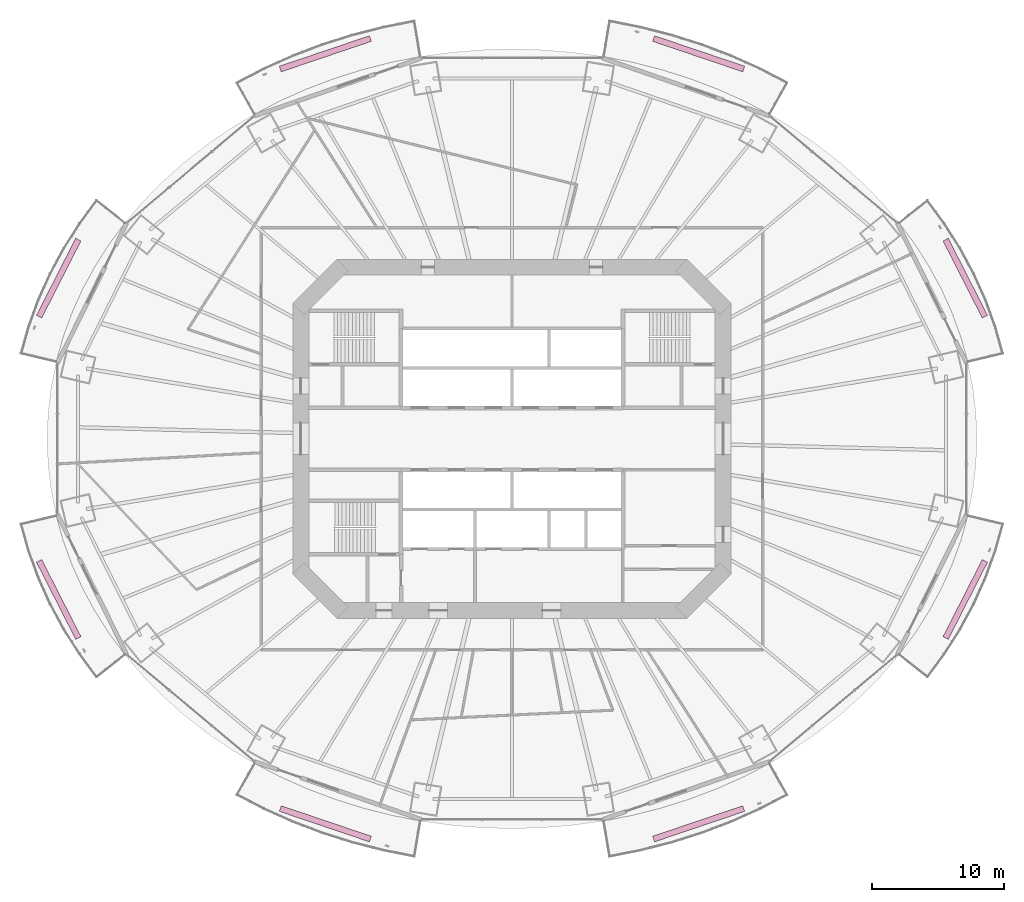
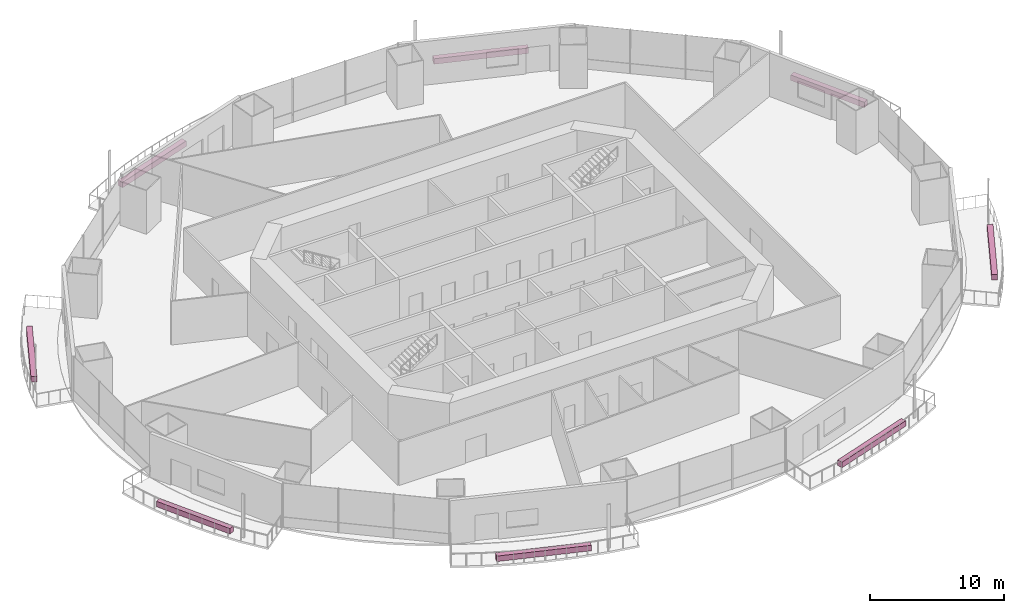
# One storey, part 22 of 22: 8 furnishings.
"""IFC4 building model written with IfcOpenShell, lengths in metres."""

import ifcopenshell
import ifcopenshell.guid

model = None  # the IFC model being written
_history = None  # IfcOwnerHistory: only IFC2X3 demands one
_inside = {}  # id of a spatial element -> (the spatial element, [elements in it])
_under = {}  # id of a project, library or spatial element -> (it, [spatial elements below it])
_declared = {}  # id of a project -> (the project, [libraries it declares])
_typed = {}  # id of a type object -> (the type object, [elements of that type])
_made_of = {}  # id of a material, layer set ... -> (it, [elements and type objects made of it])


def new_model(schema):
    """Start an empty IFC model of exactly this schema.

    Asked for "IFC4X3", IfcOpenShell would pick the latest addendum, in which some entities
    have other attributes; the version numbers below select the first issue.
    IFC2X3 requires an IfcOwnerHistory on every rooted entity: one is made here for all.
    """
    global model, _history
    if schema == "IFC4X3":
        model = ifcopenshell.file(schema_version=(4, 3, 0, 0))
    else:
        model = ifcopenshell.file(schema=schema)
    _inside.clear()
    _under.clear()
    _declared.clear()
    _typed.clear()
    _made_of.clear()
    _history = None
    if model.schema == "IFC2X3":
        org = make("IfcOrganization", Name="unknown")
        user = make(
            "IfcPersonAndOrganization",
            ThePerson=make("IfcPerson", FamilyName="unknown"),
            TheOrganization=org,
        )
        app = make(
            "IfcApplication",
            ApplicationDeveloper=org,
            Version="unknown",
            ApplicationFullName="unknown",
            ApplicationIdentifier="unknown",
        )
        _history = make(
            "IfcOwnerHistory",
            OwningUser=user,
            OwningApplication=app,
            ChangeAction="ADDED",
            CreationDate=0,
        )
    return model


def make(cls, **values):
    """One entity of the class cls with the attributes given. An attribute that is None is left unset."""
    return model.create_entity(
        cls, **{name: value for name, value in values.items() if value is not None}
    )


def rooted(cls, **values):
    """An entity with a GlobalId (a new one), such as an element, a storey or a relation."""
    return make(cls, GlobalId=ifcopenshell.guid.new(), OwnerHistory=_history, **values)


def si_unit(unit_type, name, prefix=None):
    """IfcSIUnit, for example si_unit("LENGTHUNIT", "METRE", prefix="MILLI")."""
    return make("IfcSIUnit", UnitType=unit_type, Prefix=prefix, Name=name)


def assignment(units):
    """IfcUnitAssignment: the units of a project."""
    return None if units is None else make("IfcUnitAssignment", Units=units)


def point(xyz):
    """IfcCartesianPoint."""
    return None if xyz is None else make("IfcCartesianPoint", Coordinates=xyz)


def direction(xyz):
    """IfcDirection."""
    return None if xyz is None else make("IfcDirection", DirectionRatios=xyz)


def frame(location, z_axis=None, x_axis=None):
    """IfcAxis2Placement3D, a coordinate frame: its origin and axes. An axis left out is left unset."""
    return make(
        "IfcAxis2Placement3D",
        Location=point(location),
        Axis=direction(z_axis),
        RefDirection=direction(x_axis),
    )


def frame_2d(location, x_axis=None):
    """IfcAxis2Placement2D, a coordinate frame in the plane: its origin and x axis."""
    return make(
        "IfcAxis2Placement2D", Location=point(location), RefDirection=direction(x_axis)
    )


def origin():
    """The frame at (0, 0, 0) with its axes left unset."""
    return frame((0.0, 0.0, 0.0))


def origin_2d():
    """The frame at (0, 0) in the plane with its x axis left unset."""
    return frame_2d((0.0, 0.0))


def place(relative_to, where):
    """IfcLocalPlacement: puts the frame where relative to a parent placement (None: the world)."""
    return make(
        "IfcLocalPlacement", PlacementRelTo=relative_to, RelativePlacement=where
    )


def context(
    kind, dimensions, precision=None, world=None, true_north=None, identifier=None
):
    """IfcGeometricRepresentationContext, for example the 3D "Model" context."""
    return make(
        "IfcGeometricRepresentationContext",
        ContextIdentifier=identifier,
        ContextType=kind,
        CoordinateSpaceDimension=dimensions,
        Precision=precision,
        WorldCoordinateSystem=world,
        TrueNorth=true_north,
    )


def subcontext(parent, identifier, kind, view, scale=None):
    """IfcGeometricRepresentationSubContext, for example "Body" below "Model"."""
    return make(
        "IfcGeometricRepresentationSubContext",
        ContextIdentifier=identifier,
        ContextType=kind,
        ParentContext=parent,
        TargetScale=scale,
        TargetView=view,
    )


def project(units=None, contexts=None):
    """IfcProject with its units and contexts."""
    return rooted(
        "IfcProject",
        Name="project",
        RepresentationContexts=contexts,
        UnitsInContext=assignment(units),
    )


def spatial(cls, under=None, at=None, **own):
    """A site, building, storey or space (cls), placed at a placement, below another one or the project."""
    s = rooted(cls, ObjectPlacement=at, **own)
    if under is not None:
        _under.setdefault(under.id(), (under, []))[1].append(s)
    return s


def profile(cls, at=None, kind="AREA", **sizes):
    """A parametric profile (cls). Its sizes go by their IFC names, for example OverallWidth=200.0."""
    return make(cls, ProfileType=kind, Position=at, **sizes)


def rectangle(**sizes):
    """IfcRectangleProfileDef."""
    return profile("IfcRectangleProfileDef", **sizes)


def extrude(swept, where, along, depth):
    """IfcExtrudedAreaSolid: the profile swept, set in the frame where, extruded along a direction by depth."""
    return make(
        "IfcExtrudedAreaSolid",
        SweptArea=swept,
        Position=where,
        ExtrudedDirection=direction(along),
        Depth=depth,
    )


def shape(context_of_items, identifier, shape_type, items):
    """IfcShapeRepresentation: the items that make up one representation, for example the "Body"."""
    return make(
        "IfcShapeRepresentation",
        ContextOfItems=context_of_items,
        RepresentationIdentifier=identifier,
        RepresentationType=shape_type,
        Items=items,
    )


def material(Name=None, Category=None):
    """IfcMaterial."""
    return make("IfcMaterial", Name=Name, Category=Category)


def made_of(thing, what):
    """Note that an element or type object is made of a material, layer set ...; save() writes the relation."""
    if what is not None:
        _made_of.setdefault(what.id(), (what, []))[1].append(thing)
    return thing


def type_object(cls, material=None, **own):
    """A type object (cls), such as IfcWallType, which elements share."""
    return made_of(rooted(cls, **own), material)


def element(
    cls,
    number,
    at=None,
    inside=None,
    cuts=None,
    type_object=None,
    material=None,
    context=None,
    identifier="Body",
    shape_type=None,
    held_by="IfcProductDefinitionShape",
    body=None,
    shapes=None,
    **own,
):
    """One element of the class cls, such as IfcWall. Its Tag is "e" and its number.

    at: its placement. inside: the storey or other place that contains it. cuts: it is an
    opening in that element (IfcRelVoidsElement). A single representation is given by context,
    identifier, shape_type and body (its items); several are given by shapes. held_by: the class
    of the entity that holds the representations. save() writes the other relations.
    """
    e = rooted(cls, Tag="e%d" % number, ObjectPlacement=at, **own)
    if body is not None:
        shapes = [shape(context, identifier, shape_type, body)]
    if shapes is not None:
        e.Representation = make(held_by, Representations=shapes)
    if inside is not None:
        _inside.setdefault(inside.id(), (inside, []))[1].append(e)
    if cuts is not None:
        rooted(
            "IfcRelVoidsElement", RelatingBuildingElement=cuts, RelatedOpeningElement=e
        )
    if type_object is not None:
        _typed.setdefault(type_object.id(), (type_object, []))[1].append(e)
    return made_of(e, material)


def aggregate(whole, parts):
    """IfcRelAggregates: a whole, such as a stair, and the parts it consists of."""
    return rooted("IfcRelAggregates", RelatingObject=whole, RelatedObjects=parts)


def save(model, path):
    """Write the relations noted so far, then the file.

    IfcRelAggregates (storeys below a building ...), IfcRelContainedInSpatialStructure (elements
    in a storey), IfcRelDefinesByType, IfcRelAssociatesMaterial and IfcRelDeclares: one each for
    every whole, place, type object, material and project.
    """
    for whole, parts in _under.values():
        aggregate(whole, parts)
    for where, things in _inside.values():
        rooted(
            "IfcRelContainedInSpatialStructure",
            RelatedElements=things,
            RelatingStructure=where,
        )
    for kind, things in _typed.values():
        rooted("IfcRelDefinesByType", RelatedObjects=things, RelatingType=kind)
    for what, things in _made_of.values():
        rooted("IfcRelAssociatesMaterial", RelatedObjects=things, RelatingMaterial=what)
    for by, libraries in _declared.values():
        rooted("IfcRelDeclares", RelatingContext=by, RelatedDefinitions=libraries)
    model.write(path)


model = new_model("IFC4")

# Units and contexts
model_context = context("Model", 3, precision=1e-05, world=origin(), true_north=direction((0.0, 1.0)))
body_context = subcontext(model_context, "Body", "Model", "MODEL_VIEW")
ifc_project = project(units=[si_unit("LENGTHUNIT", "METRE"), si_unit("AREAUNIT", "SQUARE_METRE"), si_unit("VOLUMEUNIT", "CUBIC_METRE"), si_unit("PLANEANGLEUNIT", "RADIAN"), si_unit("MASSUNIT", "GRAM", prefix="KILO")], contexts=[model_context])

# Site, building, storey
site_placement = place(None, origin())
site = spatial("IfcSite", under=ifc_project, at=site_placement, CompositionType="ELEMENT")
building_placement = place(site_placement, origin())
building = spatial("IfcBuilding", under=site, at=building_placement, Name="Marenthal Gate Tower", CompositionType="ELEMENT")
storey_placement = place(building_placement, frame((0.0, 0.0, 91.10009765625)))
storey = spatial("IfcBuildingStorey", under=building, at=storey_placement, Name="L18", CompositionType="ELEMENT", Elevation=91.10009765625)

# Furnishings
ifc_material = material(Name="Planting soil and foliage", Category="planting")
furnishing_element_type = type_object("IfcFurnishingElementType", Name="Balcony PLANTER trough", material=ifc_material)
furnishing_1_placement = place(storey_placement, frame((34.342041015625, 12.1787109375, -0.0400390625), z_axis=(0.0, 0.0, 1.0), x_axis=(-0.453616424886, 0.891197025956, 0.0)))
element("IfcFurnishingElement", 1, at=furnishing_1_placement, inside=storey, type_object=furnishing_element_type, Name="Balcony PLANTER L18 bay 1", ObjectType="PLANTER", context=body_context, shape_type="SweptSolid", body=[
    extrude(rectangle(XDim=6.549072265625, YDim=0.449951171875, at=origin_2d()), origin(), (0.0, 0.0, 1.0), 0.5),
])
for number, where, z_axis, x_axis, name in (
    (2, (14.14306640625, 29.172119140625, -0.0400390625), (0.0, 0.0, 1.0), (-0.947301642878, 0.32034293718, 0.0), "Balcony PLANTER L18 bay 3"),
    (3, (-14.14306640625, 29.172119140625, -0.0400390625), (0.0, 0.0, 1.0), (-0.947301642878, -0.32034293718, 0.0), "Balcony PLANTER L18 bay 5"),
):
    element("IfcFurnishingElement", number, at=place(storey_placement, frame(where, z_axis=z_axis, x_axis=x_axis)), inside=storey, type_object=furnishing_element_type, Name=name, ObjectType="PLANTER", context=body_context, shape_type="SweptSolid", body=[
        extrude(rectangle(XDim=7.203125, YDim=0.449951171875, at=origin_2d()), origin(), (0.0, 0.0, 1.0), 0.5),
    ])
for number, where, z_axis, x_axis, name in (
    (4, (-34.342041015625, 12.1787109375, -0.0400390625), (0.0, 0.0, 1.0), (-0.453616424886, -0.891197025956, 0.0), "Balcony PLANTER L18 bay 7"),
    (5, (-34.342041015625, -12.1787109375, -0.0400390625), (0.0, 0.0, 1.0), (0.453616424886, -0.891197025956, 0.0), "Balcony PLANTER L18 bay 9"),
):
    element("IfcFurnishingElement", number, at=place(storey_placement, frame(where, z_axis=z_axis, x_axis=x_axis)), inside=storey, type_object=furnishing_element_type, Name=name, ObjectType="PLANTER", context=body_context, shape_type="SweptSolid", body=[
        extrude(rectangle(XDim=6.549072265625, YDim=0.449951171875, at=origin_2d()), origin(), (0.0, 0.0, 1.0), 0.5),
    ])
for number, where, z_axis, x_axis, name in (
    (6, (-14.14306640625, -29.172119140625, -0.0400390625), (0.0, 0.0, 1.0), (0.947301642878, -0.32034293718, 0.0), "Balcony PLANTER L18 bay 11"),
    (7, (14.14306640625, -29.172119140625, -0.0400390625), (0.0, 0.0, 1.0), (0.947301642878, 0.32034293718, 0.0), "Balcony PLANTER L18 bay 13"),
):
    element("IfcFurnishingElement", number, at=place(storey_placement, frame(where, z_axis=z_axis, x_axis=x_axis)), inside=storey, type_object=furnishing_element_type, Name=name, ObjectType="PLANTER", context=body_context, shape_type="SweptSolid", body=[
        extrude(rectangle(XDim=7.203125, YDim=0.449951171875, at=origin_2d()), origin(), (0.0, 0.0, 1.0), 0.5),
    ])
furnishing_2_placement = place(storey_placement, frame((34.342041015625, -12.1787109375, -0.0400390625), z_axis=(0.0, 0.0, 1.0), x_axis=(0.453616424886, 0.891197025956, 0.0)))
element("IfcFurnishingElement", 8, at=furnishing_2_placement, inside=storey, type_object=furnishing_element_type, Name="Balcony PLANTER L18 bay 15", ObjectType="PLANTER", context=body_context, shape_type="SweptSolid", body=[
    extrude(rectangle(XDim=6.549072265625, YDim=0.449951171875, at=origin_2d()), origin(), (0.0, 0.0, 1.0), 0.5),
])

save(model, "model.ifc")
